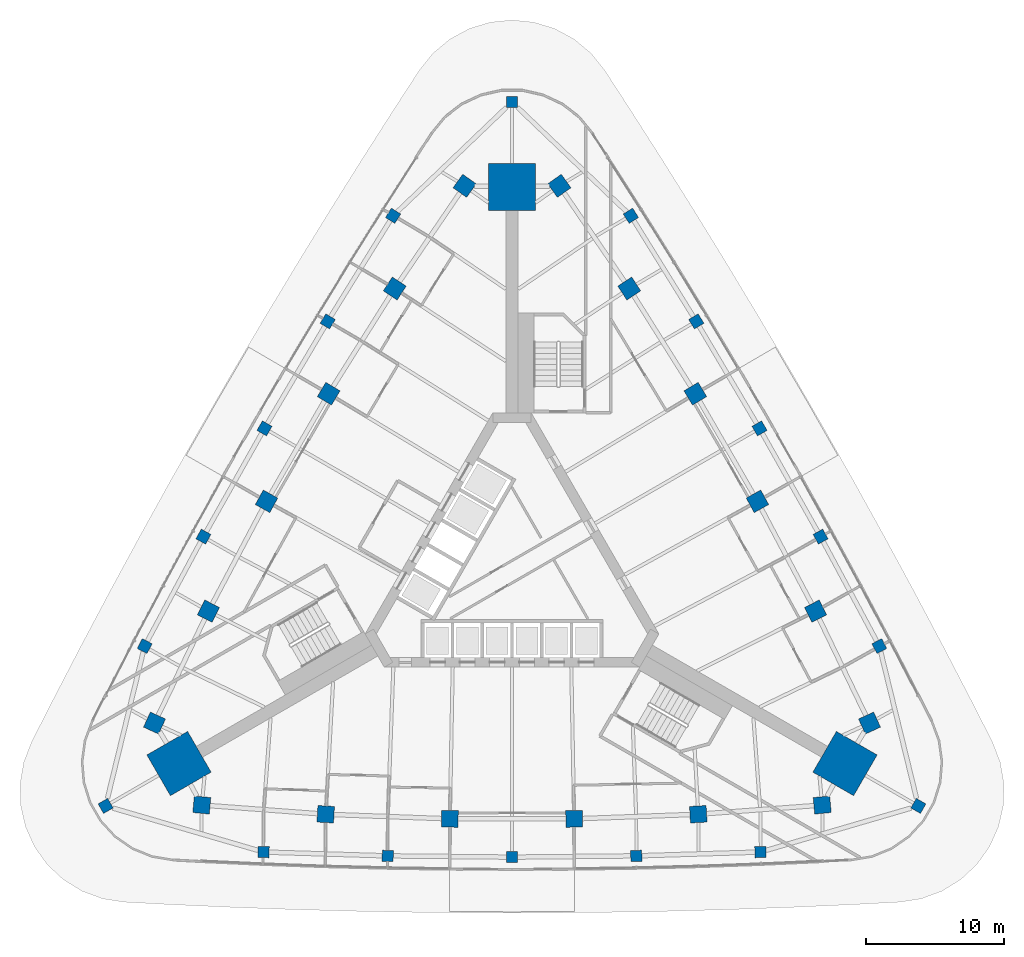
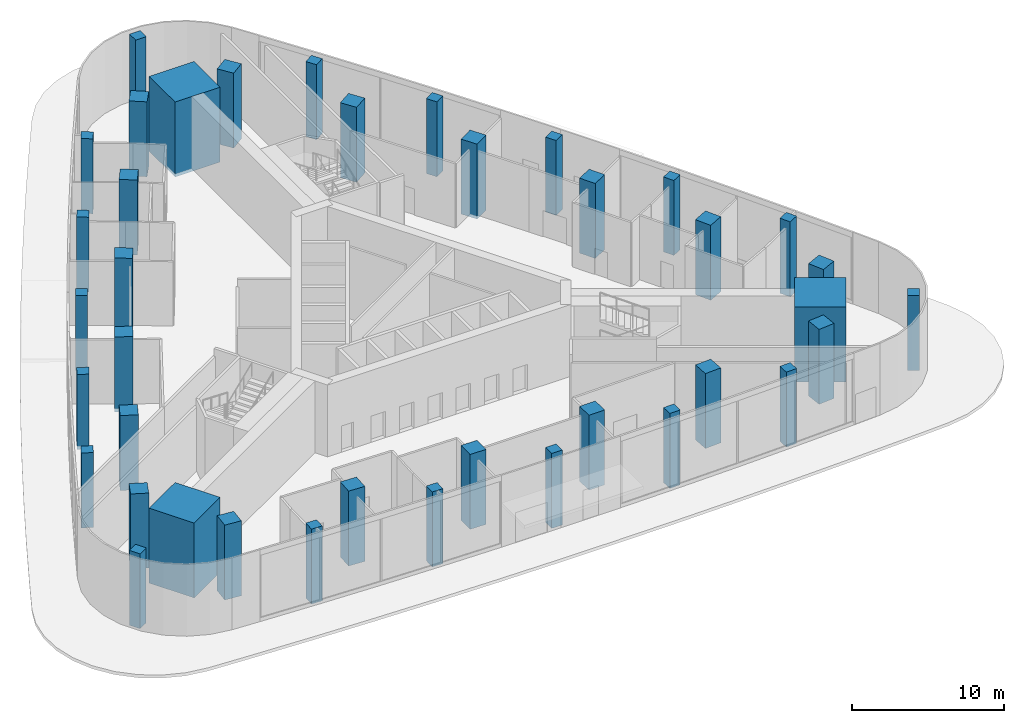
# One storey, part 1 of 14: 39 columns.
"""IFC4 building model written with IfcOpenShell, lengths in metres."""

from ifc_helpers import new_model, si_unit, direction, frame, origin, origin_2d, place, context, subcontext, project, spatial, rectangle, extrude, material, material_profile, profile_set, type_object, element, save


model = new_model("IFC4")

# Units and contexts
model_context = context("Model", 3, precision=1e-05, world=origin(), true_north=direction((0.0, 1.0)))
body_context = subcontext(model_context, "Body", "Model", "MODEL_VIEW")
ifc_project = project(units=[si_unit("LENGTHUNIT", "METRE"), si_unit("AREAUNIT", "SQUARE_METRE"), si_unit("VOLUMEUNIT", "CUBIC_METRE"), si_unit("PLANEANGLEUNIT", "RADIAN"), si_unit("MASSUNIT", "GRAM", prefix="KILO")], contexts=[model_context])

# Site, building, storey
site_placement = place(None, origin())
site = spatial("IfcSite", under=ifc_project, at=site_placement, CompositionType="ELEMENT")
building_placement = place(site_placement, origin())
building = spatial("IfcBuilding", under=site, at=building_placement, Name="Noor Cloister Tower", CompositionType="ELEMENT")
storey_placement = place(building_placement, origin())
storey = spatial("IfcBuildingStorey", under=building, at=storey_placement, Name="L00", CompositionType="ELEMENT", Elevation=0.0)

# Columns
ifc_material_1 = material(Name="Concrete C80/95", Category="concrete")
ifc_material_profile_1 = material_profile(ifc_material_1, rectangle(XDim=3.39990234375, YDim=3.39990234375, at=origin_2d()), Name="RC 3400x3400")
ifc_profile_set_1 = profile_set([ifc_material_profile_1], Name="Concrete C80/95")
column_type_1 = type_object("IfcColumnType", Name="Corner pier 3400 x 3400 C80/95", PredefinedType="COLUMN", material=ifc_profile_set_1)
for number, where, z_axis, x_axis, name in (
    (1, (0.0, 27.7890625, -0.25), (0.0, 0.0, 1.0), (0.0, 1.0, 0.0), "Corner pier N L00"),
    (2, (-24.06591796875, -13.89453125, -0.25), (0.0, 0.0, 1.0), (-0.866025403784, -0.5, 0.0), "Corner pier SW L00"),
    (3, (24.06591796875, -13.89453125, -0.25), (0.0, 0.0, 1.0), (0.866025403784, -0.5, 0.0), "Corner pier SE L00"),
):
    element("IfcColumn", number, at=place(storey_placement, frame(where, z_axis=z_axis, x_axis=x_axis)), inside=storey, type_object=column_type_1, Name=name, PredefinedType="COLUMN", context=body_context, shape_type="SweptSolid", body=[
        extrude(rectangle(XDim=3.39990234375, YDim=3.39990234375, at=origin_2d()), origin(), (0.0, 0.0, 1.0), 6.0),
    ])
ifc_material_2 = material(Name="Concrete C80/95", Category="concrete")
ifc_material_profile_2 = material_profile(ifc_material_2, rectangle(XDim=1.199951171875, YDim=1.199951171875, at=origin_2d()), Name="Podium column 1200")
ifc_profile_set_2 = profile_set([ifc_material_profile_2], Name="Concrete C80/95")
column_type_2 = type_object("IfcColumnType", Name="Podium column 1200", PredefinedType="COLUMN", material=ifc_profile_set_2)
for number, where, z_axis, x_axis, name in (
    (4, (-3.421142578125, 27.85986328125, -0.25), (0.0, 0.0, 1.0), (-0.815983256934, 0.578075535205, 0.0), "Column NW 00"),
    (5, (-8.474853515625, 20.43798828125, -0.25), (0.0, 0.0, 1.0), (-0.836867705394, 0.547405191489, 0.0), "Column NW 02"),
    (6, (-13.249755859375, 12.833740234375, -0.25), (0.0, 0.0, 1.0), (-0.856599929156, 0.515981163775, 0.0), "Column NW 04"),
    (7, (-17.7392578125, 5.0576171875, -0.25), (0.0, 0.0, 1.0), (-0.875152760281, 0.483846717641, 0.0), "Column NW 06"),
    (8, (-21.937255859375, -2.879638671875, -0.25), (0.0, 0.0, 1.0), (-0.89250065469, 0.451046096733, 0.0), "Column NW 08"),
    (9, (-25.837890625, -10.96728515625, -0.25), (0.0, 0.0, 1.0), (-0.908619727261, 0.417624461966, 0.0), "Column NW 10"),
    (10, (-22.416748046875, -16.892578125, -0.25), (0.0, 0.0, 1.0), (-0.092636470327, -0.995699997171, 0.0), "Column S 00"),
    (11, (-13.46240234375, -17.558349609375, -0.25), (0.0, 0.0, 1.0), (-0.055632949296, -0.998451288222, 0.0), "Column S 02"),
    (12, (-4.489501953125, -17.8916015625, -0.25), (0.0, 0.0, 1.0), (-0.018552831126, -0.999827881416, 0.0), "Column S 04"),
    (13, (4.489501953125, -17.8916015625, -0.25), (0.0, 0.0, 1.0), (0.018552831126, -0.999827881416, 0.0), "Column S 06"),
    (14, (13.46240234375, -17.558349609375, -0.25), (0.0, 0.0, 1.0), (0.055632949296, -0.998451288222, 0.0), "Column S 08"),
    (15, (22.416748046875, -16.892578125, -0.25), (0.0, 0.0, 1.0), (0.092636470327, -0.995699997171, 0.0), "Column S 10"),
    (16, (25.837890625, -10.96728515625, -0.25), (0.0, 0.0, 1.0), (0.908619727261, 0.417624461966, 0.0), "Column NE 00"),
    (17, (21.937255859375, -2.879638671875, -0.25), (0.0, 0.0, 1.0), (0.89250065469, 0.451046096733, 0.0), "Column NE 02"),
    (18, (17.7392578125, 5.0576171875, -0.25), (0.0, 0.0, 1.0), (0.875152760281, 0.483846717641, 0.0), "Column NE 04"),
    (19, (13.249755859375, 12.833740234375, -0.25), (0.0, 0.0, 1.0), (0.856599929156, 0.515981163775, 0.0), "Column NE 06"),
    (20, (8.474853515625, 20.43798828125, -0.25), (0.0, 0.0, 1.0), (0.836867705394, 0.547405191489, 0.0), "Column NE 08"),
    (21, (3.421142578125, 27.85986328125, -0.25), (0.0, 0.0, 1.0), (0.815983256934, 0.578075535205, 0.0), "Column NE 10"),
):
    element("IfcColumn", number, at=place(storey_placement, frame(where, z_axis=z_axis, x_axis=x_axis)), inside=storey, type_object=column_type_2, Name=name, PredefinedType="COLUMN", context=body_context, shape_type="SweptSolid", body=[
        extrude(rectangle(XDim=1.199951171875, YDim=1.199951171875, at=origin_2d()), origin(), (0.0, 0.0, 1.0), 6.0),
    ])
ifc_material_3 = material(Name="Concrete C60/75", Category="concrete")
ifc_material_profile_3 = material_profile(ifc_material_3, rectangle(XDim=0.800048828125, YDim=0.800048828125, at=origin_2d()), Name="Podium column 800")
ifc_profile_set_3 = profile_set([ifc_material_profile_3], Name="Concrete C60/75")
column_type_3 = type_object("IfcColumnType", Name="Podium column 800", PredefinedType="COLUMN", material=ifc_profile_set_3)
for number, where, z_axis, x_axis, name in (
    (22, (0.0, 33.9130859375, -0.25), (0.0, 0.0, 1.0), (0.0, 1.0, 0.0), "Perimeter column N"),
    (23, (-8.59228515625, 25.694580078125, -0.25), (0.0, 0.0, 1.0), (-0.844762079338, 0.535142064607, 0.0), "Perimeter column NW 01"),
    (24, (-13.31982421875, 18.059326171875, -0.25), (0.0, 0.0, 1.0), (-0.855574189811, 0.517680215702, 0.0), "Perimeter column NW 03"),
    (25, (-17.8896484375, 10.32861328125, -0.25), (0.0, 0.0, 1.0), (-0.866025403784, 0.5, 0.0), "Perimeter column NW 05"),
    (26, (-22.2998046875, 2.505615234375, -0.25), (0.0, 0.0, 1.0), (-0.87611131274, 0.482108875348, 0.0), "Perimeter column NW 07"),
    (27, (-26.54833984375, -5.406005859375, -0.25), (0.0, 0.0, 1.0), (-0.885827662253, 0.464014388557, 0.0), "Perimeter column NW 09"),
    (28, (-29.36962890625, -16.95654296875, -0.25), (0.0, 0.0, 1.0), (-0.866025403784, -0.5, 0.0), "Perimeter column SW"),
    (29, (-17.955810546875, -20.288330078125, -0.25), (0.0, 0.0, 1.0), (-0.041065582914, -0.999156453164, 0.0), "Perimeter column S 01"),
    (30, (-8.979736328125, -20.56494140625, -0.25), (0.0, 0.0, 1.0), (-0.020537122929, -0.99978909105, 0.0), "Perimeter column S 03"),
    (31, (0.0, -20.6572265625, -0.25), (0.0, 0.0, 1.0), (0.0, -1.0, 0.0), "Perimeter column S 05"),
    (32, (8.979736328125, -20.56494140625, -0.25), (0.0, 0.0, 1.0), (0.020537122929, -0.99978909105, 0.0), "Perimeter column S 07"),
    (33, (17.955810546875, -20.288330078125, -0.25), (0.0, 0.0, 1.0), (0.041065582914, -0.999156453164, 0.0), "Perimeter column S 09"),
    (34, (29.36962890625, -16.95654296875, -0.25), (0.0, 0.0, 1.0), (0.866025403784, -0.5, 0.0), "Perimeter column SE"),
    (35, (26.54833984375, -5.406005859375, -0.25), (0.0, 0.0, 1.0), (0.885827662253, 0.464014388557, 0.0), "Perimeter column NE 01"),
    (36, (22.2998046875, 2.505615234375, -0.25), (0.0, 0.0, 1.0), (0.87611131274, 0.482108875348, 0.0), "Perimeter column NE 03"),
    (37, (17.8896484375, 10.32861328125, -0.25), (0.0, 0.0, 1.0), (0.866025403784, 0.5, 0.0), "Perimeter column NE 05"),
    (38, (13.31982421875, 18.059326171875, -0.25), (0.0, 0.0, 1.0), (0.855574189811, 0.517680215702, 0.0), "Perimeter column NE 07"),
    (39, (8.59228515625, 25.694580078125, -0.25), (0.0, 0.0, 1.0), (0.844762079338, 0.535142064607, 0.0), "Perimeter column NE 09"),
):
    element("IfcColumn", number, at=place(storey_placement, frame(where, z_axis=z_axis, x_axis=x_axis)), inside=storey, type_object=column_type_3, Name=name, PredefinedType="COLUMN", context=body_context, shape_type="SweptSolid", body=[
        extrude(rectangle(XDim=0.800048828125, YDim=0.800048828125, at=origin_2d()), origin(), (0.0, 0.0, 1.0), 6.0),
    ])

save(model, "model.ifc")
